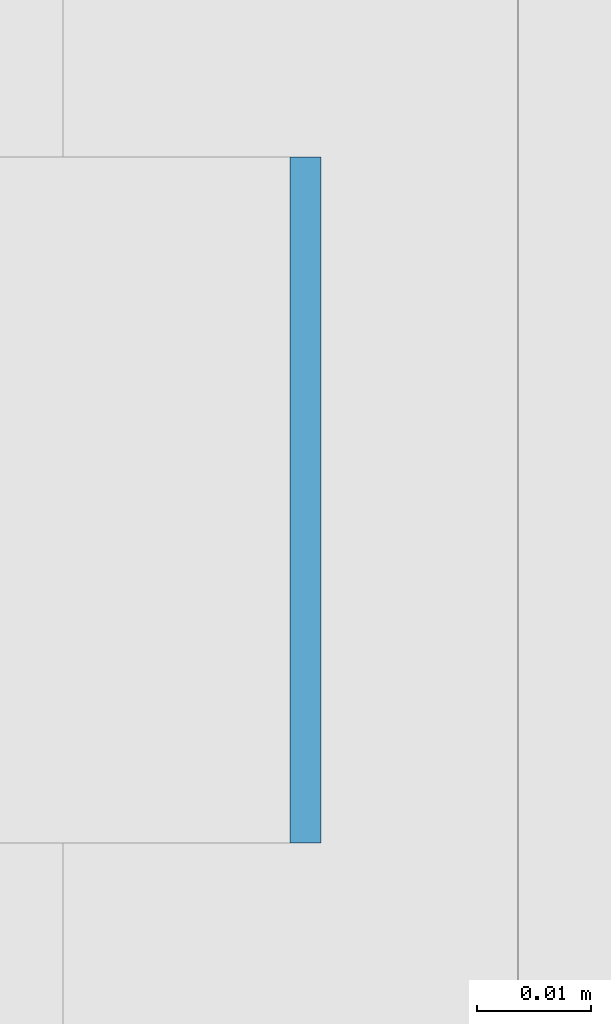
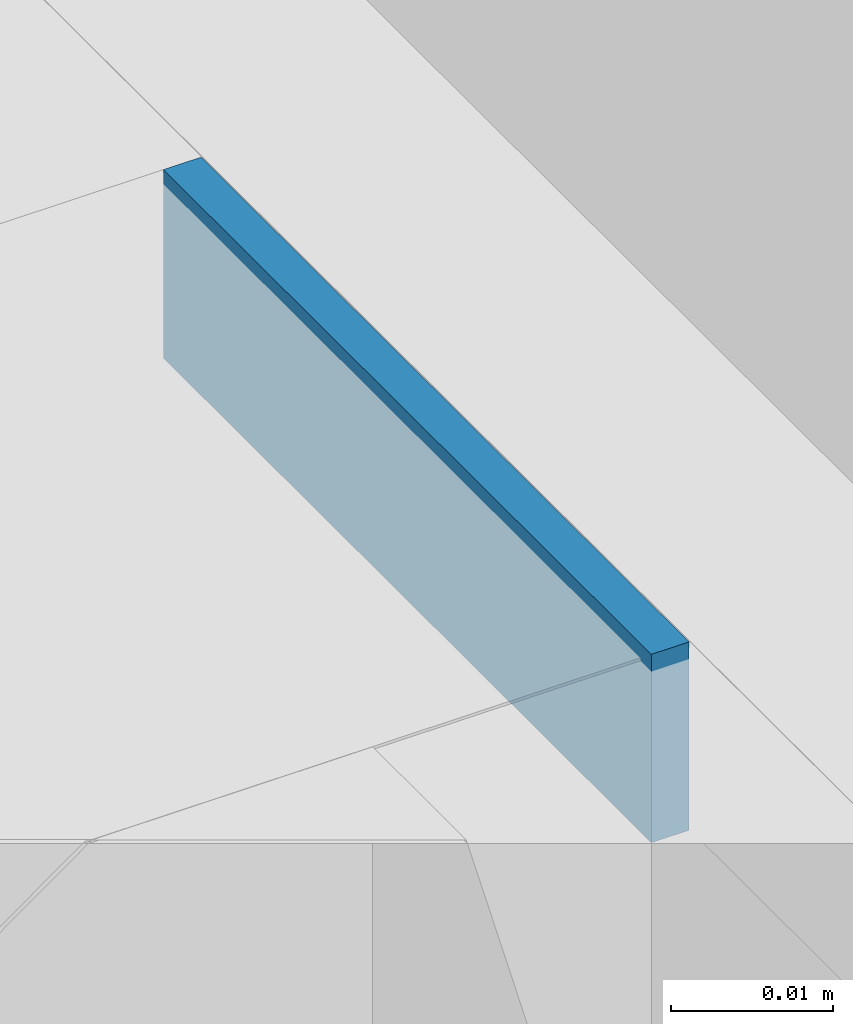
# One storey, part 329 of 646: 1 discrete accessory.
"""IFC4 building model written with IfcOpenShell, lengths in metres."""

from ifc_helpers import new_model, si_unit, direction, frame, origin, origin_2d, place, context, subcontext, project, spatial, rectangle, extrude, material, type_object, element, save


model = new_model("IFC4")

# Units and contexts
model_context = context("Model", 3, precision=1e-05, world=origin(), true_north=direction((0.0, 1.0)))
body_context = subcontext(model_context, "Body", "Model", "MODEL_VIEW")
ifc_project = project(units=[si_unit("LENGTHUNIT", "METRE"), si_unit("AREAUNIT", "SQUARE_METRE"), si_unit("VOLUMEUNIT", "CUBIC_METRE"), si_unit("PLANEANGLEUNIT", "RADIAN"), si_unit("MASSUNIT", "GRAM", prefix="KILO")], contexts=[model_context])

# Site, building, storey
site_placement = place(None, origin())
site = spatial("IfcSite", under=ifc_project, at=site_placement, CompositionType="ELEMENT")
building_placement = place(site_placement, origin())
building = spatial("IfcBuilding", under=site, at=building_placement, Name="Silverbay Arena", CompositionType="ELEMENT")
storey_placement = place(building_placement, frame((0.0, 0.0, 33.5)))
storey = spatial("IfcBuildingStorey", under=building, at=storey_placement, Name="L05", CompositionType="ELEMENT", Elevation=33.5)

# Discrete accessory
ifc_material = material(Name="Steel S355", Category="steel")
discrete_accessory_type = type_object("IfcDiscreteAccessoryType", Name="Steel bracket plate", PredefinedType="BRACKET", material=ifc_material)
discrete_accessory_placement = place(storey_placement, frame((53.871337890625, 79.71435546875, 12.98583984375), z_axis=(0.0, 0.0, 1.0), x_axis=(1.0, 0.0, 0.0)))
element("IfcDiscreteAccessory", 1, at=discrete_accessory_placement, inside=storey, type_object=discrete_accessory_type, Name="Curtain wall packing plate", PredefinedType="BRACKET", context=body_context, shape_type="SweptSolid", body=[
    extrude(rectangle(XDim=0.002685546875, YDim=0.06005859375, at=origin_2d()), origin(), (0.0, 0.0, 1.0), 0.01416015625),
])

save(model, "model.ifc")
